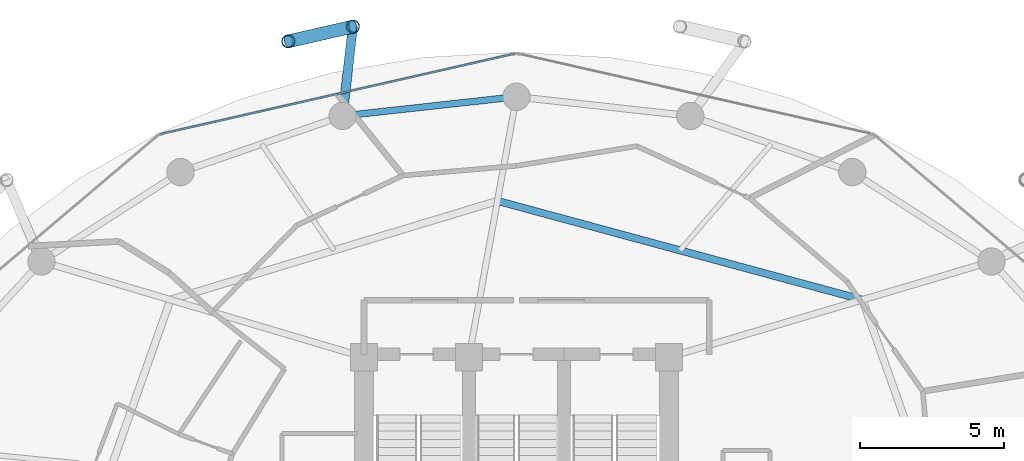
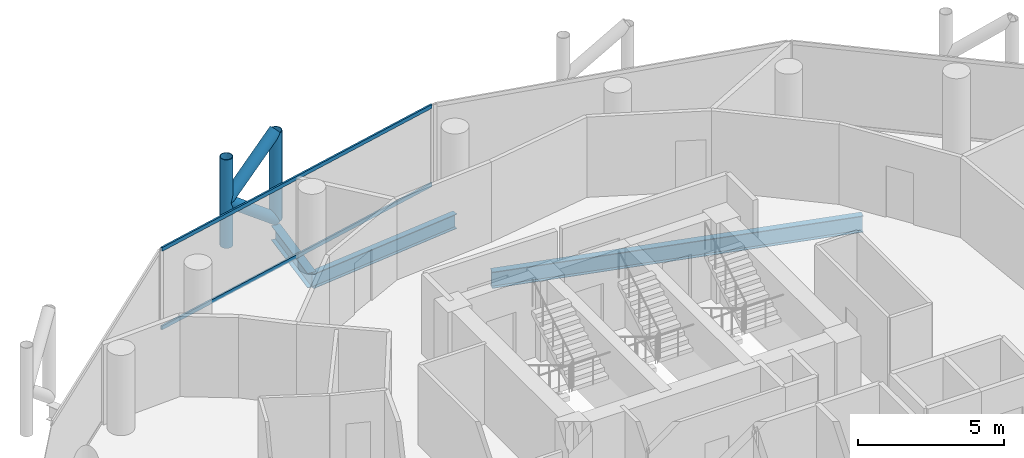
# One storey, part 16 of 26: 6 members, 3 beams, 1 element without a shape of its own.
"""IFC4 building model written with IfcOpenShell, lengths in metres."""

from ifc_helpers import new_model, si_unit, direction, frame, origin, origin_2d, place, context, subcontext, project, spatial, hollow_rectangle, hollow_circle, i_section, extrude, material, layer, layer_set, material_profile, profile_set, type_object, element, aggregate, save


model = new_model("IFC4")

# Units and contexts
model_context = context("Model", 3, precision=1e-05, world=origin(), true_north=direction((0.0, 1.0)))
body_context = subcontext(model_context, "Body", "Model", "MODEL_VIEW")
ifc_project = project(units=[si_unit("LENGTHUNIT", "METRE"), si_unit("AREAUNIT", "SQUARE_METRE"), si_unit("VOLUMEUNIT", "CUBIC_METRE"), si_unit("PLANEANGLEUNIT", "RADIAN"), si_unit("MASSUNIT", "GRAM", prefix="KILO")], contexts=[model_context])

# Site, building, storey
site_placement = place(None, origin())
site = spatial("IfcSite", under=ifc_project, at=site_placement, CompositionType="ELEMENT")
building_placement = place(site_placement, origin())
building = spatial("IfcBuilding", under=site, at=building_placement, Name="Nuhasar Tower", CompositionType="ELEMENT")
storey_placement = place(building_placement, frame((0.0, 0.0, 192.25)))
storey = spatial("IfcBuildingStorey", under=building, at=storey_placement, Name="L47", CompositionType="ELEMENT", Elevation=192.25)

# Beams
ifc_material_1 = material(Name="Steel S355", Category="steel")
ifc_material_profile_1 = material_profile(ifc_material_1, i_section(OverallWidth=0.25390625, OverallDepth=0.68408203125, WebThickness=0.012451171875, FlangeThickness=0.018798828125, at=origin_2d()), Name="W27X94")
ifc_profile_set_1 = profile_set([ifc_material_profile_1], Name="Steel S355")
beam_type_1 = type_object("IfcBeamType", Name="BM-INRING-W27X94", PredefinedType="BEAM", material=ifc_profile_set_1)
beam_1_placement = place(storey_placement, frame((51.027099609375, 39.2939453125, -0.592041015625), z_axis=(-0.96522695776, 0.261413312618, 0.0), x_axis=(-0.261413312618, -0.96522695776, 0.0)))
element("IfcBeam", 1, at=beam_1_placement, inside=storey, type_object=beam_type_1, Name="L47 Inner Header Beam 05", PredefinedType="BEAM", context=body_context, shape_type="SweptSolid", body=[
    extrude(i_section(OverallWidth=0.25390625, OverallDepth=0.68408203125, WebThickness=0.012451171875, FlangeThickness=0.018798828125, at=origin_2d()), origin(), (0.0, 0.0, 1.0), 13.14404296875),
])
ifc_material_profile_2 = material_profile(ifc_material_1, i_section(OverallWidth=0.22998046875, OverallDepth=0.616943359375, WebThickness=0.01318359375, FlangeThickness=0.022216796875, at=origin_2d()), Name="W24X94")
ifc_profile_set_2 = profile_set([ifc_material_profile_2], Name="Steel S355")
beam_type_2 = type_object("IfcBeamType", Name="BM-RING-W24X94", PredefinedType="SPANDREL", material=ifc_profile_set_2)
beam_2_placement = place(storey_placement, frame((39.0, 46.35009765625, -0.55908203125), z_axis=(-0.993981289157, -0.109549974015, 0.0), x_axis=(0.109549974015, -0.993981289157, 0.0)))
element("IfcBeam", 2, at=beam_2_placement, inside=storey, type_object=beam_type_2, Name="L47 Perimeter Ring Spandrel 07", PredefinedType="SPANDREL", context=body_context, shape_type="SweptSolid", body=[
    extrude(i_section(OverallWidth=0.22998046875, OverallDepth=0.616943359375, WebThickness=0.01318359375, FlangeThickness=0.022216796875, at=origin_2d()), origin(), (0.0, 0.0, 1.0), 6.07958984375),
])
ifc_material_profile_3 = material_profile(ifc_material_1, i_section(OverallWidth=0.323974609375, OverallDepth=0.611083984375, WebThickness=0.0126953125, FlangeThickness=0.01904296875, at=origin_2d()), Name="W24X104")
ifc_profile_set_3 = profile_set([ifc_material_profile_3], Name="Steel S355")
beam_type_3 = type_object("IfcBeamType", Name="BM-TIE-W24X104", PredefinedType="BEAM", material=ifc_profile_set_3)
beam_3_placement = place(storey_placement, frame((32.95703125, 45.68408203125, -0.554931640625), z_axis=(0.114167639647, 0.993461499031, 0.0), x_axis=(-0.993461499031, 0.114167639647, 0.0)))
element("IfcBeam", 3, at=beam_3_placement, inside=storey, type_object=beam_type_3, Name="L47 Exoskeleton Node Tie Beam 04", PredefinedType="BEAM", context=body_context, shape_type="SweptSolid", body=[
    extrude(i_section(OverallWidth=0.323974609375, OverallDepth=0.611083984375, WebThickness=0.0126953125, FlangeThickness=0.01904296875, at=origin_2d()), origin(), (0.0, 0.0, 1.0), 3.12646484375),
])

# Curtain wall, members
ifc_material_2 = material(Name="Aluminium 6063-T6", Category="aluminium")
ifc_layer = layer(ifc_material_2, 0.199951171875)
ifc_layer_set = layer_set([ifc_layer], Name="Aluminium 6063-T6")
curtain_wall_type = type_object("IfcCurtainWallType", Name="CW-Z2-HTL", PredefinedType="NOTDEFINED", material=ifc_layer_set)
curtain_wall_placement = place(storey_placement, origin())
curtain_wall = element("IfcCurtainWall", 4, at=curtain_wall_placement, inside=storey, type_object=curtain_wall_type, Name="L47 Unitised Curtain Wall 04", PredefinedType="NOTDEFINED")
ifc_material_profile_4 = material_profile(ifc_material_2, hollow_rectangle(XDim=0.070068359375, YDim=0.159912109375, WallThickness=0.00439453125, at=origin_2d()), Name="CWT-3")
ifc_profile_set_4 = profile_set([ifc_material_profile_4], Name="Aluminium 6063-T6")
member_type_1 = type_object("IfcMemberType", Name="CW-TRN-S3", PredefinedType="USERDEFINED", material=ifc_profile_set_4)
member_1_placement = place(storey_placement, frame((38.931640625, 47.844482421875, 0.034912109375), z_axis=(-0.975183434528, -0.221398439519, 0.0), x_axis=(0.221398439519, -0.975183434528, 0.0)))
member_1 = element("IfcMember", 5, at=member_1_placement, type_object=member_type_1, Name="CW-Z2 transom 1.1", ObjectType="TRANSOM", PredefinedType="USERDEFINED", context=body_context, shape_type="SweptSolid", body=[
    extrude(hollow_rectangle(XDim=0.070068359375, YDim=0.159912109375, WallThickness=0.00439453125, at=origin_2d()), origin(), (0.0, 0.0, 1.0), 12.606201171875),
])
member_2_placement = place(storey_placement, frame((38.931640625, 47.844482421875, 3.31494140625), z_axis=(-0.975183434528, -0.221398439519, 0.0), x_axis=(0.221398439519, -0.975183434528, 0.0)))
member_2 = element("IfcMember", 6, at=member_2_placement, type_object=member_type_1, Name="CW-Z2 transom 1.2", ObjectType="TRANSOM", PredefinedType="USERDEFINED", context=body_context, shape_type="SweptSolid", body=[
    extrude(hollow_rectangle(XDim=0.070068359375, YDim=0.159912109375, WallThickness=0.00439453125, at=origin_2d()), origin(), (0.0, 0.0, 1.0), 12.606201171875),
])
aggregate(curtain_wall, [member_1, member_2])

# Members
ifc_material_3 = material(Name="Steel S460", Category="steel")
ifc_material_profile_5 = material_profile(ifc_material_3, hollow_circle(Radius=0.228515625, WallThickness=0.022216796875, at=origin_2d()), Name="HSS457X22.2")
ifc_profile_set_5 = profile_set([ifc_material_profile_5], Name="Steel S460")
member_type_2 = type_object("IfcMemberType", Name="EXO-BRONZE-457", PredefinedType="BRACE", material=ifc_profile_set_5)
for number, where, z_axis, x_axis, name in (
    (7, (33.31396484375, 48.7900390625, 0.0), (0.0, 0.0, 1.0), (1.0, 0.0, 0.0), "L47 Exoskeleton Chord Column EC-04A"),
    (8, (31.072021484375, 48.27587890625, 0.0), (0.0, 0.0, 1.0), (1.0, 0.0, 0.0), "L47 Exoskeleton Chord Column EC-04B"),
):
    element("IfcMember", number, at=place(storey_placement, frame(where, z_axis=z_axis, x_axis=x_axis)), inside=storey, type_object=member_type_2, Name=name, PredefinedType="BRACE", context=body_context, shape_type="SweptSolid", body=[
        extrude(hollow_circle(Radius=0.228515625, WallThickness=0.022216796875, at=origin_2d()), origin(), (0.0, 0.0, 1.0), 3.699951171875),
    ])
member_3_placement = place(storey_placement, frame((33.31396484375, 48.7900390625, 0.0), z_axis=(-0.759499549084, -0.174181209885, 0.626754609927), x_axis=(0.223533724104, -0.974696195842, 0.0)))
element("IfcMember", 9, at=member_3_placement, inside=storey, type_object=member_type_2, Name="L47 Bronze Diagrid Brace W1-04", PredefinedType="BRACE", context=body_context, shape_type="SweptSolid", body=[
    extrude(hollow_circle(Radius=0.228515625, WallThickness=0.022216796875, at=origin_2d()), origin(), (0.0, 0.0, 1.0), 2.951904296875),
])
member_4_placement = place(storey_placement, frame((31.072021484375, 48.27587890625, 1.85009765625), z_axis=(0.759538919781, 0.174190239035, 0.626704388019), x_axis=(-0.223533724104, 0.974696195842, 0.0)))
element("IfcMember", 10, at=member_4_placement, inside=storey, type_object=member_type_2, Name="L47 Bronze Diagrid Brace W2-04", PredefinedType="BRACE", context=body_context, shape_type="SweptSolid", body=[
    extrude(hollow_circle(Radius=0.228515625, WallThickness=0.022216796875, at=origin_2d()), origin(), (0.0, 0.0, 1.0), 2.95166015625),
])

save(model, "model.ifc")
